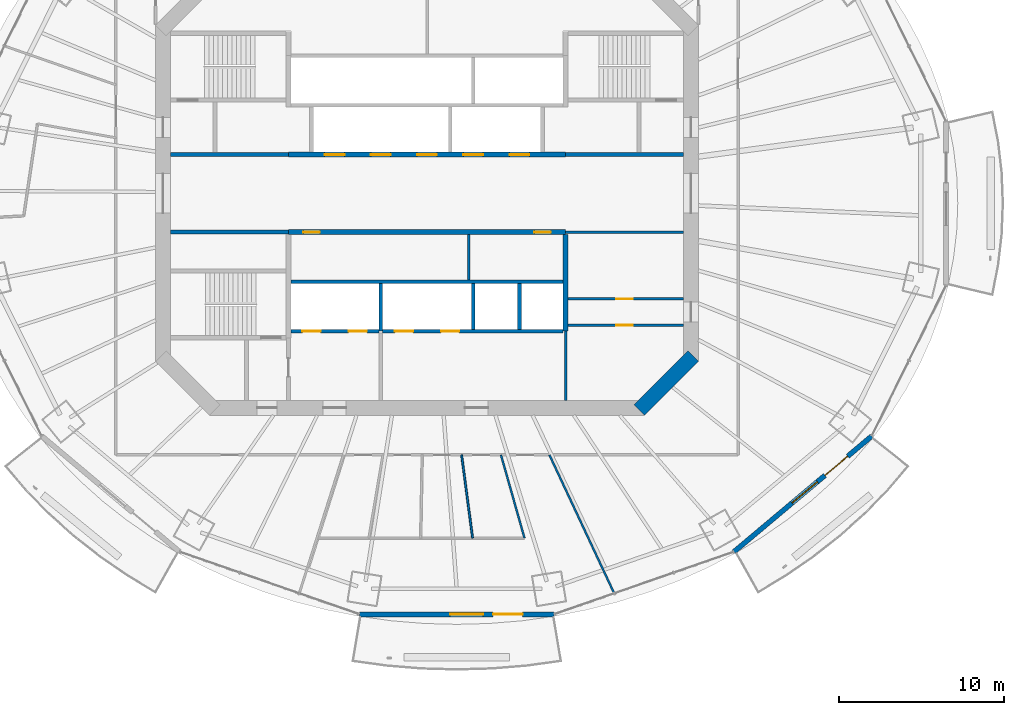
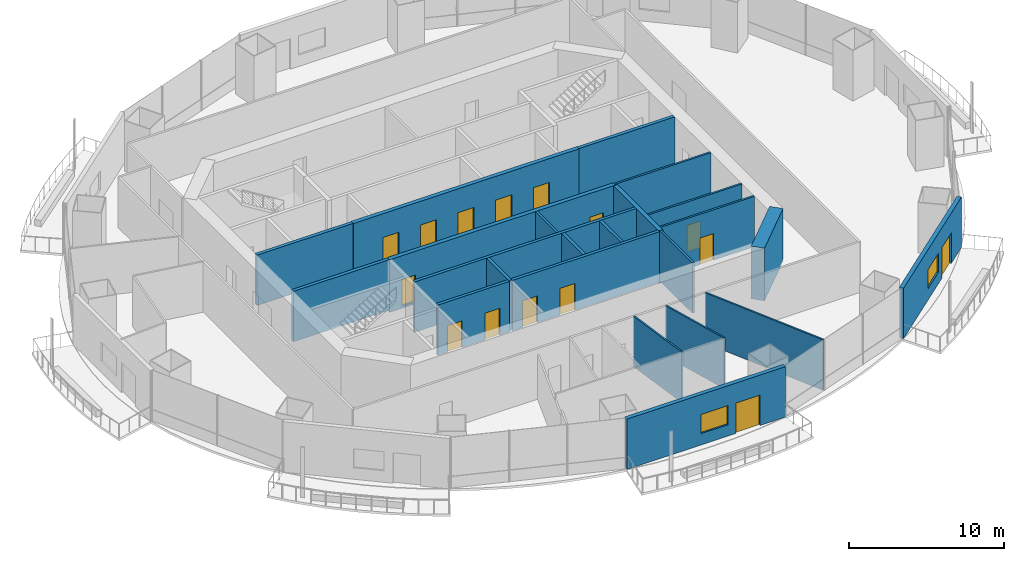
# One storey, part 11 of 19: 23 walls, 15 doors, 2 windows, 17 openings.
"""IFC4 building model written with IfcOpenShell, lengths in metres."""

from ifc_helpers import new_model, si_unit, direction, frame, frame_2d, origin, place, context, subcontext, project, spatial, rectangle, extrude, material, layer, layer_set, type_object, element, fill, save


model = new_model("IFC4")

# Units and contexts
model_context = context("Model", 3, precision=1e-05, world=origin(), true_north=direction((0.0, 1.0)))
body_context = subcontext(model_context, "Body", "Model", "MODEL_VIEW")
ifc_project = project(units=[si_unit("LENGTHUNIT", "METRE"), si_unit("AREAUNIT", "SQUARE_METRE"), si_unit("VOLUMEUNIT", "CUBIC_METRE"), si_unit("PLANEANGLEUNIT", "RADIAN"), si_unit("MASSUNIT", "GRAM", prefix="KILO")], contexts=[model_context])

# Site, building, storey
site_placement = place(None, origin())
site = spatial("IfcSite", under=ifc_project, at=site_placement, CompositionType="ELEMENT")
building_placement = place(site_placement, origin())
building = spatial("IfcBuilding", under=site, at=building_placement, Name="Marenthal Gate Tower", CompositionType="ELEMENT")
storey_placement = place(building_placement, frame((0.0, 0.0, 239.89990234375)))
storey = spatial("IfcBuildingStorey", under=building, at=storey_placement, Name="L53", CompositionType="ELEMENT", Elevation=239.89990234375)

# Wall
ifc_material_1 = material(Name="Concrete 60 MPa", Category="concrete")
ifc_layer_1 = layer(ifc_material_1, 0.89990234375)
ifc_layer_set_1 = layer_set([ifc_layer_1], Name="Core shear wall 900")
wall_type_1 = type_object("IfcWallType", Name="Core shear wall 900", PredefinedType="SHEAR", material=ifc_layer_set_1)
wall_1_placement = place(storey_placement, frame((12.8681640625, -13.1318359375, -0.179931640625), z_axis=(0.0, 0.0, 1.0), x_axis=(0.707106781187, 0.707106781187, 0.0)))
element("IfcWall", 1, at=wall_1_placement, inside=storey, type_object=wall_type_1, Name="Core wall 01", PredefinedType="SHEAR", context=body_context, shape_type="SweptSolid", body=[
    extrude(rectangle(XDim=4.615478515625, YDim=0.89990234375, at=frame_2d((2.3076171875, 0.0))), origin(), (0.0, 0.0, 1.0), 4.150146484375),
])

# Wall, openings, doors
ifc_material_2 = material(Name="Concrete 50 MPa", Category="concrete")
ifc_layer_2 = layer(ifc_material_2, 0.300048828125)
ifc_layer_set_2 = layer_set([ifc_layer_2], Name="Hoistway shear wall 300")
wall_type_2 = type_object("IfcWallType", Name="Hoistway shear wall 300", PredefinedType="SHEAR", material=ifc_layer_set_2)
wall_2_placement = place(storey_placement, frame((-8.39990234375, -2.35009765625, -0.179931640625), z_axis=(0.0, 0.0, 1.0), x_axis=(1.0, 0.0, 0.0)))
wall_2 = element("IfcWall", 2, at=wall_2_placement, inside=storey, type_object=wall_type_2, Name="Hoistway wall 17", PredefinedType="SHEAR", context=body_context, shape_type="SweptSolid", body=[
    extrude(rectangle(XDim=16.7998046875, YDim=0.300048828125, at=frame_2d((8.39990234375, 0.0))), origin(), (0.0, 0.0, 1.0), 4.150146484375),
])
opening_1_placement = place(wall_2_placement, frame((0.89990234375, 0.0, 0.179931640625)))
opening_1 = element("IfcOpeningElement", 3, at=opening_1_placement, cuts=wall_2, Name="Opening D005.01", PredefinedType="OPENING", context=body_context, shape_type="SweptSolid", body=[
    extrude(rectangle(XDim=1.0, YDim=2.10009765625, at=frame_2d((0.5, 1.050048828125))), frame((0.0, 0.16015625, 0.0), z_axis=(0.0, -1.0, 0.0), x_axis=(1.0, 0.0, 0.0)), (0.0, 0.0, 1.0), 0.320068359375),
])
opening_2_placement = place(wall_2_placement, frame((14.89990234375, 0.0, 0.179931640625)))
opening_2 = element("IfcOpeningElement", 4, at=opening_2_placement, cuts=wall_2, Name="Opening D005.02", PredefinedType="OPENING", context=body_context, shape_type="SweptSolid", body=[
    extrude(rectangle(XDim=1.0, YDim=2.10009765625, at=frame_2d((0.5, 1.050048828125))), frame((0.0, 0.16015625, 0.0), z_axis=(0.0, -1.0, 0.0), x_axis=(1.0, 0.0, 0.0)), (0.0, 0.0, 1.0), 0.320068359375),
])
ifc_material_3 = material(Name="Steel fire door", Category="steel")
door_type_1 = type_object("IfcDoorType", Name="Fire door FD 45 1000 x 2100", OperationType="NOTDEFINED", PredefinedType="DOOR", material=ifc_material_3)
door_1_placement = place(opening_1_placement, frame((1.0, 0.0, 0.0), z_axis=(0.0, 0.0, 1.0), x_axis=(-1.0, 0.0, 0.0)))
door_1 = element("IfcDoor", 5, at=door_1_placement, inside=storey, type_object=door_type_1, Name="Door D005.01", OperationType="SINGLE_SWING_LEFT", OverallHeight=2.10009765625, OverallWidth=1.0, PredefinedType="DOOR", context=body_context, shape_type="SweptSolid", body=[
    extrude(rectangle(XDim=1.0, YDim=2.10009765625, at=frame_2d((0.5, 1.050048828125))), frame((0.0, 0.02490234375, 0.0), z_axis=(0.0, -1.0, 0.0), x_axis=(1.0, 0.0, 0.0)), (0.0, 0.0, 1.0), 0.050048828125),
])
fill(opening_1, door_1)
door_2_placement = place(opening_2_placement, frame((1.0, 0.0, 0.0), z_axis=(0.0, 0.0, 1.0), x_axis=(-1.0, 0.0, 0.0)))
door_2 = element("IfcDoor", 6, at=door_2_placement, inside=storey, type_object=door_type_1, Name="Door D005.02", OperationType="SINGLE_SWING_LEFT", OverallHeight=2.10009765625, OverallWidth=1.0, PredefinedType="DOOR", context=body_context, shape_type="SweptSolid", body=[
    extrude(rectangle(XDim=1.0, YDim=2.10009765625, at=frame_2d((0.5, 1.050048828125))), frame((0.0, 0.02490234375, 0.0), z_axis=(0.0, -1.0, 0.0), x_axis=(1.0, 0.0, 0.0)), (0.0, 0.0, 1.0), 0.050048828125),
])
fill(opening_2, door_2)

wall_3_placement = place(storey_placement, frame((-8.39990234375, 2.35009765625, -0.179931640625), z_axis=(0.0, 0.0, 1.0), x_axis=(1.0, 0.0, 0.0)))
wall_3 = element("IfcWall", 7, at=wall_3_placement, inside=storey, type_object=wall_type_2, Name="Hoistway wall 20", PredefinedType="SHEAR", context=body_context, shape_type="SweptSolid", body=[
    extrude(rectangle(XDim=16.7998046875, YDim=0.300048828125, at=frame_2d((8.39990234375, 0.0))), origin(), (0.0, 0.0, 1.0), 4.150146484375),
])
opening_3_placement = place(wall_3_placement, frame((2.199951171875, 0.0, 0.179931640625)))
opening_3 = element("IfcOpeningElement", 8, at=opening_3_placement, cuts=wall_3, Name="Opening LD-MP1", PredefinedType="OPENING", context=body_context, shape_type="SweptSolid", body=[
    extrude(rectangle(XDim=1.199951171875, YDim=2.10009765625, at=frame_2d((0.60009765625, 1.050048828125))), frame((0.0, 0.16015625, 0.0), z_axis=(0.0, -1.0, 0.0), x_axis=(1.0, 0.0, 0.0)), (0.0, 0.0, 1.0), 0.320068359375),
])
opening_4_placement = place(wall_3_placement, frame((5.0, 0.0, 0.179931640625)))
opening_4 = element("IfcOpeningElement", 9, at=opening_4_placement, cuts=wall_3, Name="Opening LD-MP2", PredefinedType="OPENING", context=body_context, shape_type="SweptSolid", body=[
    extrude(rectangle(XDim=1.199951171875, YDim=2.10009765625, at=frame_2d((0.60009765625, 1.050048828125))), frame((0.0, 0.16015625, 0.0), z_axis=(0.0, -1.0, 0.0), x_axis=(1.0, 0.0, 0.0)), (0.0, 0.0, 1.0), 0.320068359375),
])
opening_5_placement = place(wall_3_placement, frame((7.800048828125, 0.0, 0.179931640625)))
opening_5 = element("IfcOpeningElement", 10, at=opening_5_placement, cuts=wall_3, Name="Opening LD-MP3", PredefinedType="OPENING", context=body_context, shape_type="SweptSolid", body=[
    extrude(rectangle(XDim=1.199951171875, YDim=2.10009765625, at=frame_2d((0.60009765625, 1.050048828125))), frame((0.0, 0.16015625, 0.0), z_axis=(0.0, -1.0, 0.0), x_axis=(1.0, 0.0, 0.0)), (0.0, 0.0, 1.0), 0.320068359375),
])
opening_6_placement = place(wall_3_placement, frame((10.60009765625, 0.0, 0.179931640625)))
opening_6 = element("IfcOpeningElement", 11, at=opening_6_placement, cuts=wall_3, Name="Opening LD-MP4", PredefinedType="OPENING", context=body_context, shape_type="SweptSolid", body=[
    extrude(rectangle(XDim=1.199951171875, YDim=2.10009765625, at=frame_2d((0.60009765625, 1.050048828125))), frame((0.0, 0.16015625, 0.0), z_axis=(0.0, -1.0, 0.0), x_axis=(1.0, 0.0, 0.0)), (0.0, 0.0, 1.0), 0.320068359375),
])
opening_7_placement = place(wall_3_placement, frame((13.39990234375, 0.0, 0.179931640625)))
opening_7 = element("IfcOpeningElement", 12, at=opening_7_placement, cuts=wall_3, Name="Opening LD-MP5", PredefinedType="OPENING", context=body_context, shape_type="SweptSolid", body=[
    extrude(rectangle(XDim=1.199951171875, YDim=2.10009765625, at=frame_2d((0.60009765625, 1.050048828125))), frame((0.0, 0.16015625, 0.0), z_axis=(0.0, -1.0, 0.0), x_axis=(1.0, 0.0, 0.0)), (0.0, 0.0, 1.0), 0.320068359375),
])
ifc_material_4 = material(Name="Stainless steel sliding door", Category="steel")
door_type_2 = type_object("IfcDoorType", Name="Lift landing door FD 90 1200 x 2100", OperationType="DOUBLE_DOOR_SLIDING", PredefinedType="DOOR", material=ifc_material_4)
door_3_placement = place(opening_3_placement, origin())
door_3 = element("IfcDoor", 13, at=door_3_placement, inside=storey, type_object=door_type_2, Name="Lift landing door MP1", OperationType="DOUBLE_DOOR_SLIDING", OverallHeight=2.10009765625, OverallWidth=1.199951171875, PredefinedType="DOOR", context=body_context, shape_type="SweptSolid", body=[
    extrude(rectangle(XDim=1.199951171875, YDim=2.10009765625, at=frame_2d((0.60009765625, 1.050048828125))), frame((0.0, 0.02490234375, 0.0), z_axis=(0.0, -1.0, 0.0), x_axis=(1.0, 0.0, 0.0)), (0.0, 0.0, 1.0), 0.050048828125),
])
fill(opening_3, door_3)
door_4_placement = place(opening_4_placement, origin())
door_4 = element("IfcDoor", 14, at=door_4_placement, inside=storey, type_object=door_type_2, Name="Lift landing door MP2", OperationType="DOUBLE_DOOR_SLIDING", OverallHeight=2.10009765625, OverallWidth=1.199951171875, PredefinedType="DOOR", context=body_context, shape_type="SweptSolid", body=[
    extrude(rectangle(XDim=1.199951171875, YDim=2.10009765625, at=frame_2d((0.60009765625, 1.050048828125))), frame((0.0, 0.02490234375, 0.0), z_axis=(0.0, -1.0, 0.0), x_axis=(1.0, 0.0, 0.0)), (0.0, 0.0, 1.0), 0.050048828125),
])
fill(opening_4, door_4)
door_5_placement = place(opening_5_placement, origin())
door_5 = element("IfcDoor", 15, at=door_5_placement, inside=storey, type_object=door_type_2, Name="Lift landing door MP3", OperationType="DOUBLE_DOOR_SLIDING", OverallHeight=2.10009765625, OverallWidth=1.199951171875, PredefinedType="DOOR", context=body_context, shape_type="SweptSolid", body=[
    extrude(rectangle(XDim=1.199951171875, YDim=2.10009765625, at=frame_2d((0.60009765625, 1.050048828125))), frame((0.0, 0.02490234375, 0.0), z_axis=(0.0, -1.0, 0.0), x_axis=(1.0, 0.0, 0.0)), (0.0, 0.0, 1.0), 0.050048828125),
])
fill(opening_5, door_5)
door_6_placement = place(opening_6_placement, origin())
door_6 = element("IfcDoor", 16, at=door_6_placement, inside=storey, type_object=door_type_2, Name="Lift landing door MP4", OperationType="DOUBLE_DOOR_SLIDING", OverallHeight=2.10009765625, OverallWidth=1.199951171875, PredefinedType="DOOR", context=body_context, shape_type="SweptSolid", body=[
    extrude(rectangle(XDim=1.199951171875, YDim=2.10009765625, at=frame_2d((0.60009765625, 1.050048828125))), frame((0.0, 0.02490234375, 0.0), z_axis=(0.0, -1.0, 0.0), x_axis=(1.0, 0.0, 0.0)), (0.0, 0.0, 1.0), 0.050048828125),
])
fill(opening_6, door_6)
door_7_placement = place(opening_7_placement, origin())
door_7 = element("IfcDoor", 17, at=door_7_placement, inside=storey, type_object=door_type_2, Name="Lift landing door MP5", OperationType="DOUBLE_DOOR_SLIDING", OverallHeight=2.10009765625, OverallWidth=1.199951171875, PredefinedType="DOOR", context=body_context, shape_type="SweptSolid", body=[
    extrude(rectangle(XDim=1.199951171875, YDim=2.10009765625, at=frame_2d((0.60009765625, 1.050048828125))), frame((0.0, 0.02490234375, 0.0), z_axis=(0.0, -1.0, 0.0), x_axis=(1.0, 0.0, 0.0)), (0.0, 0.0, 1.0), 0.050048828125),
])
fill(opening_7, door_7)

# Wall
wall_4_placement = place(storey_placement, frame((8.39990234375, -8.35009765625, -0.179931640625), z_axis=(0.0, 0.0, 1.0), x_axis=(0.0, 1.0, 0.0)))
element("IfcWall", 18, at=wall_4_placement, inside=storey, type_object=wall_type_2, Name="Hoistway wall 45", PredefinedType="SHEAR", context=body_context, shape_type="SweptSolid", body=[
    extrude(rectangle(XDim=5.85009765625, YDim=0.300048828125, at=frame_2d((2.925048828125, 0.0))), origin(), (0.0, 0.0, 1.0), 4.150146484375),
])

# Wall, openings, doors
ifc_material_5 = material(Name="Concrete 40 MPa", Category="concrete")
ifc_layer_3 = layer(ifc_material_5, 0.219970703125)
ifc_layer_set_3 = layer_set([ifc_layer_3], Name="Hoistway wall 220")
wall_type_3 = type_object("IfcWallType", Name="Hoistway wall 220", PredefinedType="STANDARD", material=ifc_layer_set_3)
wall_5_placement = place(storey_placement, frame((-8.25, -8.35009765625, 0.0), z_axis=(0.0, 0.0, 1.0), x_axis=(1.0, 0.0, 0.0)))
wall_5 = element("IfcWall", 19, at=wall_5_placement, inside=storey, type_object=wall_type_3, Name="Hoistway wall 10", PredefinedType="STANDARD", context=body_context, shape_type="SweptSolid", body=[
    extrude(rectangle(XDim=5.340087890625, YDim=0.219970703125, at=frame_2d((2.669921875, 0.0))), origin(), (0.0, 0.0, 1.0), 3.97021484375),
])
opening_8_placement = place(wall_5_placement, frame((0.699951171875, 0.0, 0.0)))
opening_8 = element("IfcOpeningElement", 20, at=opening_8_placement, cuts=wall_5, Name="Opening LD-LF1", PredefinedType="OPENING", context=body_context, shape_type="SweptSolid", body=[
    extrude(rectangle(XDim=1.10009765625, YDim=2.10009765625, at=frame_2d((0.550048828125, 1.050048828125))), frame((0.0, 0.1201171875, 0.0), z_axis=(0.0, -1.0, 0.0), x_axis=(1.0, 0.0, 0.0)), (0.0, 0.0, 1.0), 0.239990234375),
])
opening_9_placement = place(wall_5_placement, frame((3.5, 0.0, 0.0)))
opening_9 = element("IfcOpeningElement", 21, at=opening_9_placement, cuts=wall_5, Name="Opening LD-LF2", PredefinedType="OPENING", context=body_context, shape_type="SweptSolid", body=[
    extrude(rectangle(XDim=1.10009765625, YDim=2.10009765625, at=frame_2d((0.550048828125, 1.050048828125))), frame((0.0, 0.1201171875, 0.0), z_axis=(0.0, -1.0, 0.0), x_axis=(1.0, 0.0, 0.0)), (0.0, 0.0, 1.0), 0.239990234375),
])
ifc_material_6 = material(Name="Stainless steel sliding door", Category="steel")
door_type_3 = type_object("IfcDoorType", Name="Lift landing door FD 90 1100 x 2100", OperationType="DOUBLE_DOOR_SLIDING", PredefinedType="DOOR", material=ifc_material_6)
door_8_placement = place(opening_8_placement, origin())
door_8 = element("IfcDoor", 22, at=door_8_placement, inside=storey, type_object=door_type_3, Name="Lift landing door LF1", OperationType="DOUBLE_DOOR_SLIDING", OverallHeight=2.10009765625, OverallWidth=1.10009765625, PredefinedType="DOOR", context=body_context, shape_type="SweptSolid", body=[
    extrude(rectangle(XDim=1.10009765625, YDim=2.10009765625, at=frame_2d((0.550048828125, 1.050048828125))), frame((0.0, 0.02490234375, 0.0), z_axis=(0.0, -1.0, 0.0), x_axis=(1.0, 0.0, 0.0)), (0.0, 0.0, 1.0), 0.050048828125),
])
fill(opening_8, door_8)
door_9_placement = place(opening_9_placement, origin())
door_9 = element("IfcDoor", 23, at=door_9_placement, inside=storey, type_object=door_type_3, Name="Lift landing door LF2", OperationType="DOUBLE_DOOR_SLIDING", OverallHeight=2.10009765625, OverallWidth=1.10009765625, PredefinedType="DOOR", context=body_context, shape_type="SweptSolid", body=[
    extrude(rectangle(XDim=1.10009765625, YDim=2.10009765625, at=frame_2d((0.550048828125, 1.050048828125))), frame((0.0, 0.02490234375, 0.0), z_axis=(0.0, -1.0, 0.0), x_axis=(1.0, 0.0, 0.0)), (0.0, 0.0, 1.0), 0.050048828125),
])
fill(opening_9, door_9)

wall_6_placement = place(storey_placement, frame((-2.68994140625, -8.35009765625, 0.0), z_axis=(0.0, 0.0, 1.0), x_axis=(1.0, 0.0, 0.0)))
wall_6 = element("IfcWall", 24, at=wall_6_placement, inside=storey, type_object=wall_type_3, Name="Hoistway wall 11", PredefinedType="STANDARD", context=body_context, shape_type="SweptSolid", body=[
    extrude(rectangle(XDim=10.93994140625, YDim=0.219970703125, at=frame_2d((5.469970703125, 0.0))), origin(), (0.0, 0.0, 1.0), 3.97021484375),
])
opening_10_placement = place(wall_6_placement, frame((0.739990234375, 0.0, 0.0)))
opening_10 = element("IfcOpeningElement", 25, at=opening_10_placement, cuts=wall_6, Name="Opening LD-SV1", PredefinedType="OPENING", context=body_context, shape_type="SweptSolid", body=[
    extrude(rectangle(XDim=1.10009765625, YDim=2.10009765625, at=frame_2d((0.550048828125, 1.050048828125))), frame((0.0, 0.1201171875, 0.0), z_axis=(0.0, -1.0, 0.0), x_axis=(1.0, 0.0, 0.0)), (0.0, 0.0, 1.0), 0.239990234375),
])
opening_11_placement = place(wall_6_placement, frame((3.5400390625, 0.0, 0.0)))
opening_11 = element("IfcOpeningElement", 26, at=opening_11_placement, cuts=wall_6, Name="Opening LD-SV2", PredefinedType="OPENING", context=body_context, shape_type="SweptSolid", body=[
    extrude(rectangle(XDim=1.10009765625, YDim=2.10009765625, at=frame_2d((0.550048828125, 1.050048828125))), frame((0.0, 0.1201171875, 0.0), z_axis=(0.0, -1.0, 0.0), x_axis=(1.0, 0.0, 0.0)), (0.0, 0.0, 1.0), 0.239990234375),
])
door_10_placement = place(opening_10_placement, origin())
door_10 = element("IfcDoor", 27, at=door_10_placement, inside=storey, type_object=door_type_3, Name="Lift landing door SV1", OperationType="DOUBLE_DOOR_SLIDING", OverallHeight=2.10009765625, OverallWidth=1.10009765625, PredefinedType="DOOR", context=body_context, shape_type="SweptSolid", body=[
    extrude(rectangle(XDim=1.10009765625, YDim=2.10009765625, at=frame_2d((0.550048828125, 1.050048828125))), frame((0.0, 0.02490234375, 0.0), z_axis=(0.0, -1.0, 0.0), x_axis=(1.0, 0.0, 0.0)), (0.0, 0.0, 1.0), 0.050048828125),
])
fill(opening_10, door_10)
door_11_placement = place(opening_11_placement, origin())
door_11 = element("IfcDoor", 28, at=door_11_placement, inside=storey, type_object=door_type_3, Name="Lift landing door SV2", OperationType="DOUBLE_DOOR_SLIDING", OverallHeight=2.10009765625, OverallWidth=1.10009765625, PredefinedType="DOOR", context=body_context, shape_type="SweptSolid", body=[
    extrude(rectangle(XDim=1.10009765625, YDim=2.10009765625, at=frame_2d((0.550048828125, 1.050048828125))), frame((0.0, 0.02490234375, 0.0), z_axis=(0.0, -1.0, 0.0), x_axis=(1.0, 0.0, 0.0)), (0.0, 0.0, 1.0), 0.050048828125),
])
fill(opening_11, door_11)

# Walls
wall_7_placement = place(storey_placement, frame((-8.25, -5.35009765625, 0.0), z_axis=(0.0, 0.0, 1.0), x_axis=(1.0, 0.0, 0.0)))
element("IfcWall", 29, at=wall_7_placement, inside=storey, type_object=wall_type_3, Name="Hoistway wall 14", PredefinedType="STANDARD", context=body_context, shape_type="SweptSolid", body=[
    extrude(rectangle(XDim=16.5, YDim=0.219970703125, at=frame_2d((8.25, 0.0))), origin(), (0.0, 0.0, 1.0), 3.97021484375),
])
wall_8_placement = place(storey_placement, frame((-2.800048828125, -8.35009765625, 0.0), z_axis=(0.0, 0.0, 1.0), x_axis=(0.0, 1.0, 0.0)))
element("IfcWall", 30, at=wall_8_placement, inside=storey, type_object=wall_type_3, Name="Hoistway wall 36", PredefinedType="STANDARD", context=body_context, shape_type="SweptSolid", body=[
    extrude(rectangle(XDim=2.89013671875, YDim=0.219970703125, at=frame_2d((1.445068359375, 0.0))), origin(), (0.0, 0.0, 1.0), 3.97021484375),
])
for number, where, z_axis, x_axis, name in (
    (31, (2.800048828125, -8.239990234375, 0.0), (0.0, 0.0, 1.0), (0.0, 1.0, 0.0), "Hoistway wall 40"),
    (32, (5.60009765625, -8.239990234375, 0.0), (0.0, 0.0, 1.0), (0.0, 1.0, 0.0), "Hoistway wall 42"),
):
    element("IfcWall", number, at=place(storey_placement, frame(where, z_axis=z_axis, x_axis=x_axis)), inside=storey, type_object=wall_type_3, Name=name, PredefinedType="STANDARD", context=body_context, shape_type="SweptSolid", body=[
        extrude(rectangle(XDim=2.780029296875, YDim=0.219970703125, at=frame_2d((1.39013671875, 0.0))), origin(), (0.0, 0.0, 1.0), 3.97021484375),
    ])
ifc_material_7 = material(Name="Gypsum board on steel studs", Category="steel")
ifc_layer_4 = layer(ifc_material_7, 0.1201171875)
ifc_layer_set_4 = layer_set([ifc_layer_4], Name="Partition 120")
wall_type_4 = type_object("IfcWallType", Name="Partition 120", PredefinedType="PARTITIONING", material=ifc_layer_set_4)
wall_9_placement = place(storey_placement, frame((2.760498046875, -20.88623046875, 0.0), z_axis=(0.0, 0.0, 1.0), x_axis=(-0.131011450979, 0.991380855026, 0.0)))
element("IfcWall", 33, at=wall_9_placement, inside=storey, type_object=wall_type_4, Name="Partition wall 61", PredefinedType="PARTITIONING", context=body_context, shape_type="SweptSolid", body=[
    extrude(rectangle(XDim=5.079833984375, YDim=0.1201171875, at=frame_2d((2.5400390625, 0.0))), origin(), (0.0, 0.0, 1.0), 3.97021484375),
])
wall_10_placement = place(storey_placement, frame((5.90478515625, -20.88623046875, 0.0), z_axis=(0.0, 0.0, 1.0), x_axis=(-0.272058427556, 0.962280734503, 0.0)))
element("IfcWall", 34, at=wall_10_placement, inside=storey, type_object=wall_type_4, Name="Partition wall 62", PredefinedType="PARTITIONING", context=body_context, shape_type="SweptSolid", body=[
    extrude(rectangle(XDim=5.233642578125, YDim=0.1201171875, at=frame_2d((2.61669921875, 0.0))), origin(), (0.0, 0.0, 1.0), 3.97021484375),
])
wall_11_placement = place(storey_placement, frame((7.41650390625, -15.85009765625, 0.0), z_axis=(0.0, 0.0, 1.0), x_axis=(0.423847224257, -0.905733697336, 0.0)))
element("IfcWall", 35, at=wall_11_placement, inside=storey, type_object=wall_type_4, Name="Partition wall 63", PredefinedType="PARTITIONING", context=body_context, shape_type="SweptSolid", body=[
    extrude(rectangle(XDim=9.266845703125, YDim=0.1201171875, at=frame_2d((4.63330078125, 0.0))), origin(), (0.0, 0.0, 1.0), 3.97021484375),
])

# Wall, opening, door
ifc_material_8 = material(Name="Gypsum board on steel studs", Category="steel")
ifc_layer_5 = layer(ifc_material_8, 0.14990234375)
ifc_layer_set_5 = layer_set([ifc_layer_5], Name="Partition 150")
wall_type_5 = type_object("IfcWallType", Name="Partition 150", PredefinedType="PARTITIONING", material=ifc_layer_set_5)
wall_12_placement = place(storey_placement, frame((8.550048828125, -8.0, 0.0), z_axis=(0.0, 0.0, 1.0), x_axis=(1.0, 0.0, 0.0)))
wall_12 = element("IfcWall", 36, at=wall_12_placement, inside=storey, type_object=wall_type_5, Name="Partition wall 12", PredefinedType="PARTITIONING", context=body_context, shape_type="SweptSolid", body=[
    extrude(rectangle(XDim=7.0, YDim=0.14990234375, at=frame_2d((3.5, 0.0))), origin(), (0.0, 0.0, 1.0), 3.97021484375),
])
opening_12_placement = place(wall_12_placement, frame((2.925048828125, 0.0, 0.0)))
opening_12 = element("IfcOpeningElement", 37, at=opening_12_placement, cuts=wall_12, Name="Opening D005.06", PredefinedType="OPENING", context=body_context, shape_type="SweptSolid", body=[
    extrude(rectangle(XDim=1.0, YDim=2.10009765625, at=frame_2d((0.5, 1.050048828125))), frame((0.0, 0.0849609375, 0.0), z_axis=(0.0, -1.0, 0.0), x_axis=(1.0, 0.0, 0.0)), (0.0, 0.0, 1.0), 0.169921875),
])
door_12_placement = place(opening_12_placement, frame((1.0, 0.0, 0.0), z_axis=(0.0, 0.0, 1.0), x_axis=(-1.0, 0.0, 0.0)))
door_12 = element("IfcDoor", 38, at=door_12_placement, inside=storey, type_object=door_type_1, Name="Door D005.06", OperationType="SINGLE_SWING_LEFT", OverallHeight=2.10009765625, OverallWidth=1.0, PredefinedType="DOOR", context=body_context, shape_type="SweptSolid", body=[
    extrude(rectangle(XDim=1.0, YDim=2.10009765625, at=frame_2d((0.5, 1.050048828125))), frame((0.0, 0.02490234375, 0.0), z_axis=(0.0, -1.0, 0.0), x_axis=(1.0, 0.0, 0.0)), (0.0, 0.0, 1.0), 0.050048828125),
])
fill(opening_12, door_12)

wall_13_placement = place(storey_placement, frame((8.550048828125, -6.39990234375, 0.0), z_axis=(0.0, 0.0, 1.0), x_axis=(1.0, 0.0, 0.0)))
wall_13 = element("IfcWall", 39, at=wall_13_placement, inside=storey, type_object=wall_type_5, Name="Partition wall 13", PredefinedType="PARTITIONING", context=body_context, shape_type="SweptSolid", body=[
    extrude(rectangle(XDim=7.0, YDim=0.14990234375, at=frame_2d((3.5, 0.0))), origin(), (0.0, 0.0, 1.0), 3.97021484375),
])
opening_13_placement = place(wall_13_placement, frame((2.925048828125, 0.0, 0.0)))
opening_13 = element("IfcOpeningElement", 40, at=opening_13_placement, cuts=wall_13, Name="Opening D005.05", PredefinedType="OPENING", context=body_context, shape_type="SweptSolid", body=[
    extrude(rectangle(XDim=1.0, YDim=2.10009765625, at=frame_2d((0.5, 1.050048828125))), frame((0.0, 0.0849609375, 0.0), z_axis=(0.0, -1.0, 0.0), x_axis=(1.0, 0.0, 0.0)), (0.0, 0.0, 1.0), 0.169921875),
])
door_13_placement = place(opening_13_placement, origin())
door_13 = element("IfcDoor", 41, at=door_13_placement, inside=storey, type_object=door_type_1, Name="Door D005.05", OperationType="SINGLE_SWING_RIGHT", OverallHeight=2.10009765625, OverallWidth=1.0, PredefinedType="DOOR", context=body_context, shape_type="SweptSolid", body=[
    extrude(rectangle(XDim=1.0, YDim=2.10009765625, at=frame_2d((0.5, 1.050048828125))), frame((0.0, 0.02490234375, 0.0), z_axis=(0.0, -1.0, 0.0), x_axis=(1.0, 0.0, 0.0)), (0.0, 0.0, 1.0), 0.050048828125),
])
fill(opening_13, door_13)

# Walls
wall_14_placement = place(storey_placement, frame((8.39990234375, -2.35009765625, 0.0), z_axis=(0.0, 0.0, 1.0), x_axis=(1.0, 0.0, 0.0)))
element("IfcWall", 42, at=wall_14_placement, inside=storey, type_object=wall_type_5, Name="Partition wall 18", PredefinedType="PARTITIONING", context=body_context, shape_type="SweptSolid", body=[
    extrude(rectangle(XDim=7.150146484375, YDim=0.14990234375, at=frame_2d((3.5751953125, 0.0))), origin(), (0.0, 0.0, 1.0), 3.97021484375),
])
wall_15_placement = place(storey_placement, frame((2.52001953125, -5.239990234375, 0.0), z_axis=(0.0, 0.0, 1.0), x_axis=(0.0, 1.0, 0.0)))
element("IfcWall", 43, at=wall_15_placement, inside=storey, type_object=wall_type_5, Name="Partition wall 39", PredefinedType="PARTITIONING", context=body_context, shape_type="SweptSolid", body=[
    extrude(rectangle(XDim=2.739990234375, YDim=0.14990234375, at=frame_2d((1.3701171875, 0.0))), origin(), (0.0, 0.0, 1.0), 3.97021484375),
])
wall_16_placement = place(storey_placement, frame((8.39990234375, -12.550048828125, 0.0), z_axis=(0.0, 0.0, 1.0), x_axis=(0.0, 1.0, 0.0)))
element("IfcWall", 44, at=wall_16_placement, inside=storey, type_object=wall_type_5, Name="Partition wall 44", PredefinedType="PARTITIONING", context=body_context, shape_type="SweptSolid", body=[
    extrude(rectangle(XDim=4.199951171875, YDim=0.14990234375, at=frame_2d((2.10009765625, 0.0))), origin(), (0.0, 0.0, 1.0), 3.97021484375),
])
ifc_material_9 = material(Name="Concrete 40 MPa", Category="concrete")
ifc_layer_6 = layer(ifc_material_9, 0.25)
ifc_layer_set_6 = layer_set([ifc_layer_6], Name="Stair enclosure wall 250")
wall_type_6 = type_object("IfcWallType", Name="Stair enclosure wall 250", PredefinedType="STANDARD", material=ifc_layer_set_6)
for number, where, z_axis, x_axis, name in (
    (45, (-15.550048828125, -2.35009765625, 0.0), (0.0, 0.0, 1.0), (1.0, 0.0, 0.0), "Stair wall 16"),
    (46, (-15.550048828125, 2.35009765625, 0.0), (0.0, 0.0, 1.0), (1.0, 0.0, 0.0), "Stair wall 19"),
    (47, (8.39990234375, 2.35009765625, 0.0), (0.0, 0.0, 1.0), (1.0, 0.0, 0.0), "Stair wall 21"),
):
    element("IfcWall", number, at=place(storey_placement, frame(where, z_axis=z_axis, x_axis=x_axis)), inside=storey, type_object=wall_type_6, Name=name, PredefinedType="STANDARD", context=body_context, shape_type="SweptSolid", body=[
        extrude(rectangle(XDim=7.150146484375, YDim=0.25, at=frame_2d((3.5751953125, 0.0))), origin(), (0.0, 0.0, 1.0), 3.97021484375),
    ])

# Wall, openings, door, window
ifc_material_10 = material(Name="Terracotta cladding on insulated concrete-block backing", Category="masonry")
ifc_layer_7 = layer(ifc_material_10, 0.300048828125)
ifc_layer_set_7 = layer_set([ifc_layer_7], Name="Terracotta facade wall 300")
wall_type_7 = type_object("IfcWallType", Name="Terracotta facade wall 300", PredefinedType="SOLIDWALL", material=ifc_layer_set_7)
wall_17_placement = place(storey_placement, frame((-4.1005859375, -25.510986328125, 0.0), z_axis=(0.0, 0.0, 1.0), x_axis=(1.0, 0.0, 0.0)))
wall_17 = element("IfcWall", 48, at=wall_17_placement, inside=storey, type_object=wall_type_7, Name="Terracotta facade wall L53 bay 12", PredefinedType="SOLIDWALL", context=body_context, shape_type="SweptSolid", body=[
    extrude(rectangle(XDim=11.801025390625, YDim=0.300048828125, at=frame_2d((5.900390625, 0.0))), origin(), (0.0, 0.0, 1.0), 3.97021484375),
])
opening_14_placement = place(wall_17_placement, frame((8.10107421875, 0.0, 0.0)))
opening_14 = element("IfcOpeningElement", 49, at=opening_14_placement, cuts=wall_17, Name="Opening BD-L53-12", PredefinedType="OPENING", context=body_context, shape_type="SweptSolid", body=[
    extrude(rectangle(XDim=1.800048828125, YDim=2.39990234375, at=frame_2d((0.89990234375, 1.199951171875))), frame((0.0, 0.16015625, 0.0), z_axis=(0.0, -1.0, 0.0), x_axis=(1.0, 0.0, 0.0)), (0.0, 0.0, 1.0), 0.320068359375),
])
opening_15_placement = place(wall_17_placement, frame((5.5009765625, 0.0, 0.89990234375)))
opening_15 = element("IfcOpeningElement", 50, at=opening_15_placement, cuts=wall_17, Name="Opening WN2-L53-12", PredefinedType="OPENING", context=body_context, shape_type="SweptSolid", body=[
    extrude(rectangle(XDim=2.0, YDim=1.5, at=frame_2d((1.0, 0.75))), frame((0.0, 0.16015625, 0.0), z_axis=(0.0, -1.0, 0.0), x_axis=(1.0, 0.0, 0.0)), (0.0, 0.0, 1.0), 0.320068359375),
])
ifc_material_11 = material(Name="Aluminium and glass", Category="aluminium")
door_type_4 = type_object("IfcDoorType", Name="Balcony door 1800x2400", OperationType="DOUBLE_DOOR_SINGLE_SWING", PredefinedType="DOOR", material=ifc_material_11)
door_14_placement = place(opening_14_placement, origin())
door_14 = element("IfcDoor", 51, at=door_14_placement, inside=storey, type_object=door_type_4, Name="Balcony door L53 bay 12", OperationType="SINGLE_SWING_LEFT", OverallHeight=2.39990234375, OverallWidth=1.800048828125, PredefinedType="DOOR", context=body_context, shape_type="SweptSolid", body=[
    extrude(rectangle(XDim=1.800048828125, YDim=2.39990234375, at=frame_2d((0.89990234375, 1.199951171875))), frame((0.0, 0.02490234375, 0.0), z_axis=(0.0, -1.0, 0.0), x_axis=(1.0, 0.0, 0.0)), (0.0, 0.0, 1.0), 0.050048828125),
])
fill(opening_14, door_14)
ifc_material_12 = material(Name="Aluminium and glass", Category="aluminium")
window_type = type_object("IfcWindowType", Name="Window 2000x1500", PartitioningType="DOUBLE_PANEL_VERTICAL", PredefinedType="WINDOW", material=ifc_material_12)
window_1_placement = place(opening_15_placement, origin())
window_1 = element("IfcWindow", 52, at=window_1_placement, inside=storey, type_object=window_type, Name="Window L53 bay 12", OverallHeight=1.5, OverallWidth=2.0, PartitioningType="SINGLE_PANEL", PredefinedType="WINDOW", context=body_context, shape_type="SweptSolid", body=[
    extrude(rectangle(XDim=2.0, YDim=1.5, at=frame_2d((1.0, 0.75))), frame((0.0, 0.030029296875, 0.0), z_axis=(0.0, -1.0, 0.0), x_axis=(1.0, 0.0, 0.0)), (0.0, 0.0, 1.0), 0.06005859375),
])
fill(opening_15, window_1)

wall_18_placement = place(storey_placement, frame((18.603271484375, -21.718505859375, 0.0), z_axis=(0.0, 0.0, 1.0), x_axis=(0.765786072148, 0.643095398603, 0.0)))
wall_18 = element("IfcWall", 53, at=wall_18_placement, inside=storey, type_object=wall_type_7, Name="Terracotta facade wall L53 bay 14", PredefinedType="SOLIDWALL", context=body_context, shape_type="SweptSolid", body=[
    extrude(rectangle(XDim=10.896728515625, YDim=0.300048828125, at=frame_2d((5.4482421875, 0.0))), origin(), (0.0, 0.0, 1.0), 3.97021484375),
])
opening_16_placement = place(wall_18_placement, frame((7.19677734375, 0.0, 0.0)))
opening_16 = element("IfcOpeningElement", 54, at=opening_16_placement, cuts=wall_18, Name="Opening BD-L53-14", PredefinedType="OPENING", context=body_context, shape_type="SweptSolid", body=[
    extrude(rectangle(XDim=1.800048828125, YDim=2.39990234375, at=frame_2d((0.89990234375, 1.199951171875))), frame((0.0, 0.16015625, 0.0), z_axis=(0.0, -1.0, 0.0), x_axis=(1.0, 0.0, 0.0)), (0.0, 0.0, 1.0), 0.320068359375),
])
opening_17_placement = place(wall_18_placement, frame((4.5966796875, 0.0, 0.89990234375)))
opening_17 = element("IfcOpeningElement", 55, at=opening_17_placement, cuts=wall_18, Name="Opening WN2-L53-14", PredefinedType="OPENING", context=body_context, shape_type="SweptSolid", body=[
    extrude(rectangle(XDim=2.0, YDim=1.5, at=frame_2d((1.0, 0.75))), frame((0.0, 0.16015625, 0.0), z_axis=(0.0, -1.0, 0.0), x_axis=(1.0, 0.0, 0.0)), (0.0, 0.0, 1.0), 0.320068359375),
])
door_15_placement = place(opening_16_placement, origin())
door_15 = element("IfcDoor", 56, at=door_15_placement, inside=storey, type_object=door_type_4, Name="Balcony door L53 bay 14", OperationType="SINGLE_SWING_LEFT", OverallHeight=2.39990234375, OverallWidth=1.800048828125, PredefinedType="DOOR", context=body_context, shape_type="SweptSolid", body=[
    extrude(rectangle(XDim=1.800048828125, YDim=2.39990234375, at=frame_2d((0.89990234375, 1.199951171875))), frame((0.0, 0.02490234375, 0.0), z_axis=(0.0, -1.0, 0.0), x_axis=(1.0, 0.0, 0.0)), (0.0, 0.0, 1.0), 0.050048828125),
])
fill(opening_16, door_15)
window_2_placement = place(opening_17_placement, origin())
window_2 = element("IfcWindow", 57, at=window_2_placement, inside=storey, type_object=window_type, Name="Window L53 bay 14", OverallHeight=1.5, OverallWidth=2.0, PartitioningType="SINGLE_PANEL", PredefinedType="WINDOW", context=body_context, shape_type="SweptSolid", body=[
    extrude(rectangle(XDim=2.0, YDim=1.5, at=frame_2d((1.0, 0.75))), frame((0.0, 0.030029296875, 0.0), z_axis=(0.0, -1.0, 0.0), x_axis=(1.0, 0.0, 0.0)), (0.0, 0.0, 1.0), 0.06005859375),
])
fill(opening_17, window_2)

save(model, "model.ifc")
